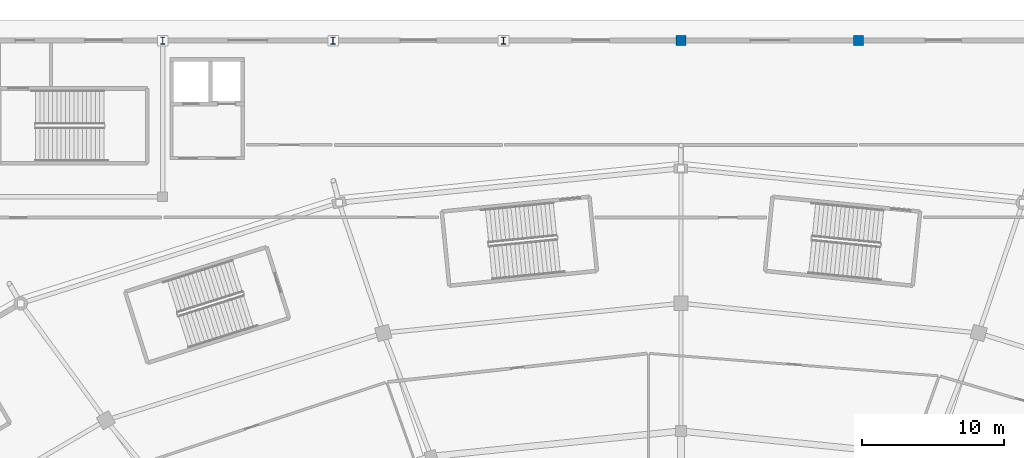
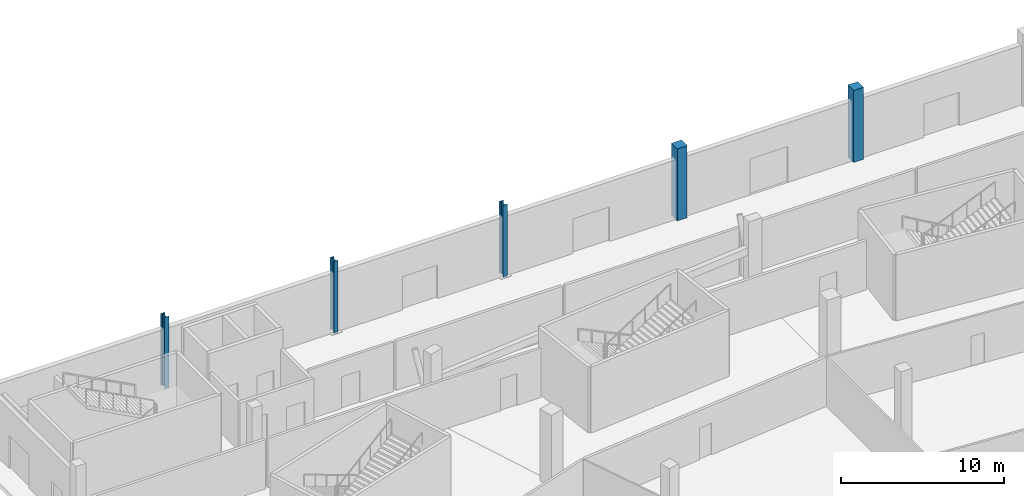
# One storey, part 19 of 82: 5 columns.
"""IFC4 building model written with IfcOpenShell, lengths in metres."""

from ifc_helpers import new_model, si_unit, direction, frame, origin, origin_2d, place, context, subcontext, project, spatial, rectangle, i_section, extrude, material, material_profile, profile_set, type_object, element, save


model = new_model("IFC4")

# Units and contexts
model_context = context("Model", 3, precision=1e-05, world=origin(), true_north=direction((0.0, 1.0)))
body_context = subcontext(model_context, "Body", "Model", "MODEL_VIEW")
ifc_project = project(units=[si_unit("LENGTHUNIT", "METRE"), si_unit("AREAUNIT", "SQUARE_METRE"), si_unit("VOLUMEUNIT", "CUBIC_METRE"), si_unit("PLANEANGLEUNIT", "RADIAN"), si_unit("MASSUNIT", "GRAM", prefix="KILO")], contexts=[model_context])

# Site, building, storey
site_placement = place(None, origin())
site = spatial("IfcSite", under=ifc_project, at=site_placement, CompositionType="ELEMENT")
building_placement = place(site_placement, origin())
building = spatial("IfcBuilding", under=site, at=building_placement, Name="Zlatoyarsky Gate Stadium", CompositionType="ELEMENT")
storey_placement = place(building_placement, origin())
storey = spatial("IfcBuildingStorey", under=building, at=storey_placement, Name="L00", CompositionType="ELEMENT", Elevation=0.0)

# Columns
ifc_material_1 = material(Name="Concrete C40/50", Category="concrete")
ifc_material_profile_1 = material_profile(ifc_material_1, rectangle(XDim=0.699951171875, YDim=0.699951171875, at=origin_2d()), Name="RC COL 700X700")
ifc_profile_set_1 = profile_set([ifc_material_profile_1], Name="Concrete C40/50")
column_type_1 = type_object("IfcColumnType", Name="CONCRETE COLUMN 700X700", PredefinedType="COLUMN", material=ifc_profile_set_1)
for number, where, z_axis, x_axis, name in (
    (1, (111.0, 160.0, 0.0), (0.0, 0.0, 1.0), (1.0, 0.0, 0.0), "Column RC-C70 WG-10-Q on L00"),
    (2, (123.5, 160.0, 0.0), (0.0, 0.0, 1.0), (1.0, 0.0, 0.0), "Column RC-C70 WG-11-Q on L00"),
):
    element("IfcColumn", number, at=place(storey_placement, frame(where, z_axis=z_axis, x_axis=x_axis)), inside=storey, type_object=column_type_1, Name=name, PredefinedType="COLUMN", context=body_context, shape_type="SweptSolid", body=[
        extrude(rectangle(XDim=0.699951171875, YDim=0.699951171875, at=origin_2d()), origin(), (0.0, 0.0, 1.0), 5.39990234375),
    ])
ifc_material_2 = material(Name="Steel S355", Category="steel")
ifc_material_profile_2 = material_profile(ifc_material_2, i_section(OverallWidth=0.300048828125, OverallDepth=0.5, WebThickness=0.014404296875, FlangeThickness=0.028076171875, FilletRadius=0.027099609375, at=origin_2d()), Name="HEB 500")
ifc_profile_set_2 = profile_set([ifc_material_profile_2], Name="Steel S355")
column_type_2 = type_object("IfcColumnType", Name="STEEL COLUMN HEB 500", PredefinedType="COLUMN", material=ifc_profile_set_2)
for number, where, z_axis, x_axis, name in (
    (3, (74.5, 160.0, 0.0), (0.0, 0.0, 1.0), (1.0, 0.0, 0.0), "Column ST-C500 WG-7-Q on L00"),
    (4, (86.5, 160.0, 0.0), (0.0, 0.0, 1.0), (1.0, 0.0, 0.0), "Column ST-C500 WG-8-Q on L00"),
    (5, (98.5, 160.0, 0.0), (0.0, 0.0, 1.0), (1.0, 0.0, 0.0), "Column ST-C500 WG-9-Q on L00"),
):
    element("IfcColumn", number, at=place(storey_placement, frame(where, z_axis=z_axis, x_axis=x_axis)), inside=storey, type_object=column_type_2, Name=name, PredefinedType="COLUMN", context=body_context, shape_type="SweptSolid", body=[
        extrude(i_section(OverallWidth=0.300048828125, OverallDepth=0.5, WebThickness=0.014404296875, FlangeThickness=0.028076171875, FilletRadius=0.027099609375, at=origin_2d()), origin(), (0.0, 0.0, 1.0), 5.39990234375),
    ])

save(model, "model.ifc")
